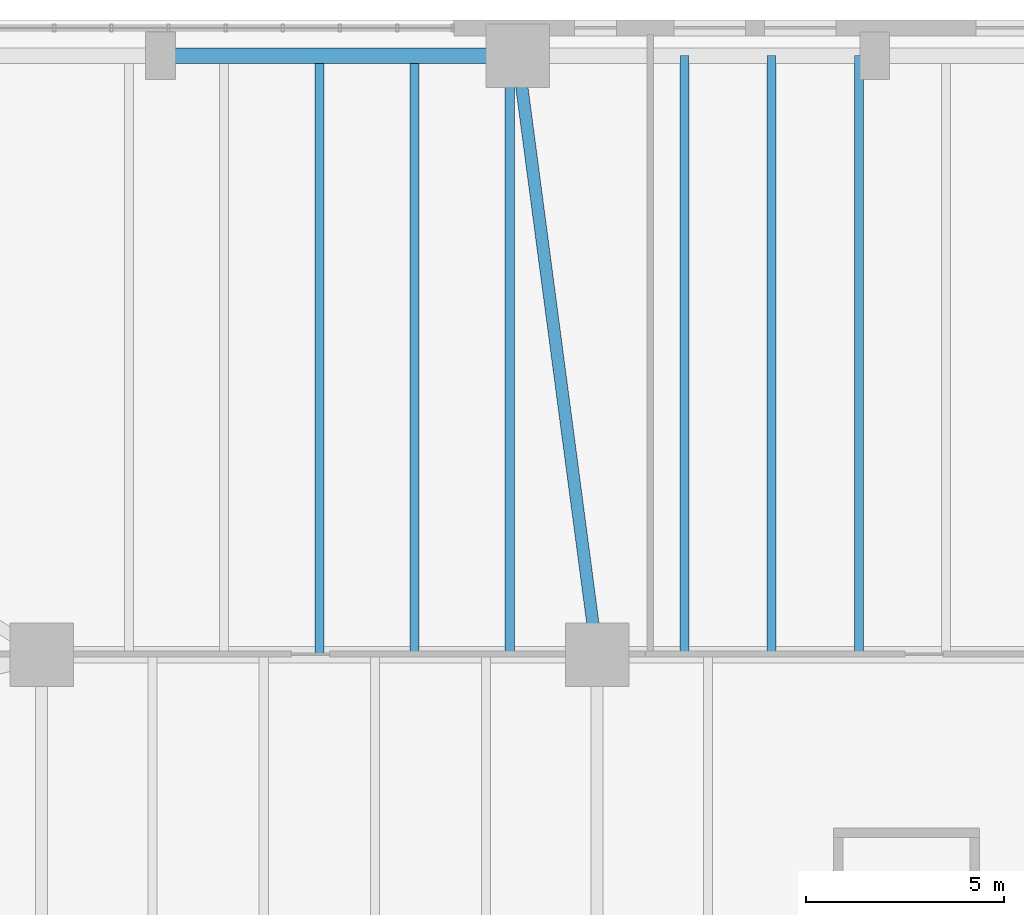
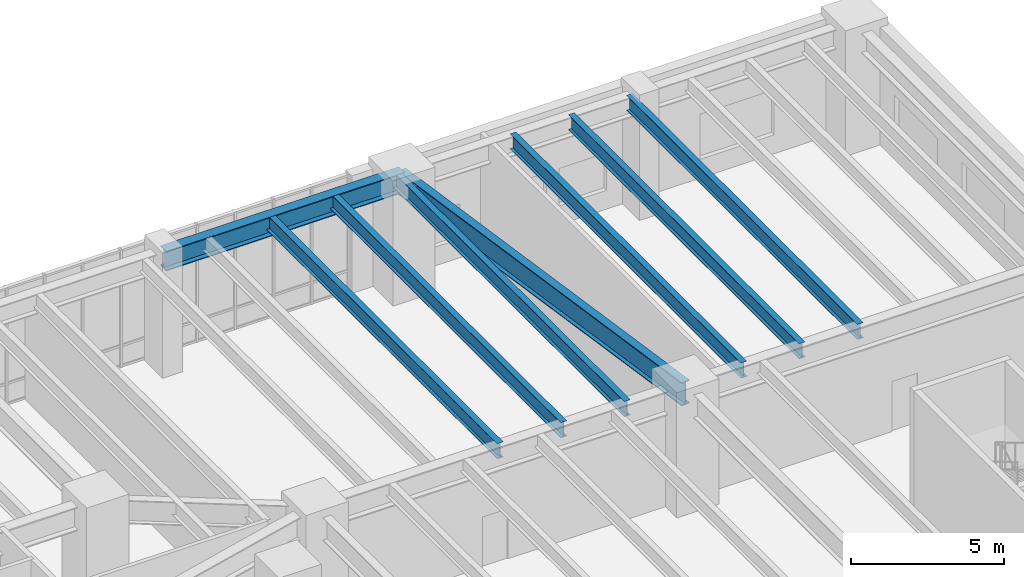
# One storey, part 17 of 26: 8 beams.
"""IFC4 building model written with IfcOpenShell, lengths in metres."""

from ifc_helpers import new_model, si_unit, direction, frame, origin, origin_2d, place, context, subcontext, project, spatial, i_section, extrude, material, material_profile, profile_set, type_object, element, save


model = new_model("IFC4")

# Units and contexts
model_context = context("Model", 3, precision=1e-05, world=origin(), true_north=direction((0.0, 1.0)))
body_context = subcontext(model_context, "Body", "Model", "MODEL_VIEW")
ifc_project = project(units=[si_unit("LENGTHUNIT", "METRE"), si_unit("AREAUNIT", "SQUARE_METRE"), si_unit("VOLUMEUNIT", "CUBIC_METRE"), si_unit("PLANEANGLEUNIT", "RADIAN"), si_unit("MASSUNIT", "GRAM", prefix="KILO"), si_unit("THERMODYNAMICTEMPERATUREUNIT", "KELVIN"), si_unit("POWERUNIT", "WATT")], contexts=[model_context])

# Site, building, storey
site_placement = place(None, origin())
site = spatial("IfcSite", under=ifc_project, at=site_placement, CompositionType="ELEMENT")
building_placement = place(site_placement, origin())
building = spatial("IfcBuilding", under=site, at=building_placement, Name="Skarre Station Tower", CompositionType="ELEMENT")
storey_placement = place(building_placement, frame((0.0, 0.0, 6.0)))
storey = spatial("IfcBuildingStorey", under=building, at=storey_placement, Name="L02", CompositionType="ELEMENT", Elevation=6.0)

# Beams
ifc_material = material(Name="Steel ASTM A992 Grade 50", Category="steel")
ifc_material_profile_1 = material_profile(ifc_material, i_section(OverallWidth=0.30810546875, OverallDepth=0.927001953125, WebThickness=0.01904296875, FlangeThickness=0.031982421875, at=origin_2d()), Name="Steel ASTM A992 Grade 50")
ifc_profile_set_1 = profile_set([ifc_material_profile_1], Name="Steel ASTM A992 Grade 50")
beam_type_1 = type_object("IfcBeamType", Name="Steel Beam W36X194", PredefinedType="BEAM", material=ifc_profile_set_1)
beam_1_placement = place(storey_placement, frame((56.0, 32.0, 4.22607421875), z_axis=(-0.131302768537, 0.991342313721, 0.0), x_axis=(-0.991342313721, -0.131302768537, 0.0)))
element("IfcBeam", 1, at=beam_1_placement, inside=storey, type_object=beam_type_1, Name="L02 Concourse Transverse Girder NS8", PredefinedType="BEAM", context=body_context, shape_type="SweptSolid", body=[
    extrude(i_section(OverallWidth=0.30810546875, OverallDepth=0.927001953125, WebThickness=0.01904296875, FlangeThickness=0.031982421875, at=origin_2d()), origin(), (0.0, 0.0, 1.0), 15.23193359375),
])
ifc_material_profile_2 = material_profile(ifc_material, i_section(OverallWidth=0.22802734375, OverallDepth=0.60791015625, WebThickness=0.010986328125, FlangeThickness=0.01708984375, at=origin_2d()), Name="Steel ASTM A992 Grade 50")
ifc_profile_set_2 = profile_set([ifc_material_profile_2], Name="Steel ASTM A992 Grade 50")
beam_type_2 = type_object("IfcBeamType", Name="Steel Joist W24X76", PredefinedType="JOIST", material=ifc_profile_set_2)
for number, where, z_axis, x_axis, name in (
    (2, (49.0, 32.0, 4.385986328125), (0.0, 1.0, 0.0), (-1.0, 0.0, 0.0), "L02 North Bay Joist 18"),
    (3, (51.39990234375, 32.0, 4.385986328125), (0.0, 1.0, 0.0), (-1.0, 0.0, 0.0), "L02 North Bay Joist 19"),
    (4, (53.800048828125, 32.0, 4.385986328125), (0.0, 1.0, 0.0), (-1.0, 0.0, 0.0), "L02 North Bay Joist 20"),
    (5, (58.199951171875, 32.0, 4.385986328125), (0.0, 1.0, 0.0), (-1.0, 0.0, 0.0), "L02 North Bay Joist 21"),
    (6, (60.39990234375, 32.0, 4.385986328125), (0.0, 1.0, 0.0), (-1.0, 0.0, 0.0), "L02 North Bay Joist 22"),
    (7, (62.60009765625, 32.0, 4.385986328125), (0.0, 1.0, 0.0), (-1.0, 0.0, 0.0), "L02 North Bay Joist 23"),
):
    element("IfcBeam", number, at=place(storey_placement, frame(where, z_axis=z_axis, x_axis=x_axis)), inside=storey, type_object=beam_type_2, Name=name, PredefinedType="JOIST", context=body_context, shape_type="SweptSolid", body=[
        extrude(i_section(OverallWidth=0.22802734375, OverallDepth=0.60791015625, WebThickness=0.010986328125, FlangeThickness=0.01708984375, at=origin_2d()), origin(), (0.0, 0.0, 1.0), 15.10009765625),
    ])
ifc_material_profile_3 = material_profile(ifc_material, i_section(OverallWidth=0.384033203125, OverallDepth=0.785888671875, WebThickness=0.02001953125, FlangeThickness=0.032958984375, at=origin_2d()), Name="Steel ASTM A992 Grade 50")
ifc_profile_set_3 = profile_set([ifc_material_profile_3], Name="Steel ASTM A992 Grade 50")
beam_type_3 = type_object("IfcBeamType", Name="Steel Spandrel W30X211", PredefinedType="SPANDREL", material=ifc_profile_set_3)
beam_2_placement = place(storey_placement, frame((45.0, 47.10009765625, 4.297119140625), z_axis=(1.0, 0.0, 0.0), x_axis=(0.0, 1.0, 0.0)))
element("IfcBeam", 8, at=beam_2_placement, inside=storey, type_object=beam_type_3, Name="L02 North Podium Spandrel 6", PredefinedType="SPANDREL", context=body_context, shape_type="SweptSolid", body=[
    extrude(i_section(OverallWidth=0.384033203125, OverallDepth=0.785888671875, WebThickness=0.02001953125, FlangeThickness=0.032958984375, at=origin_2d()), origin(), (0.0, 0.0, 1.0), 9.0),
])

save(model, "model.ifc")
